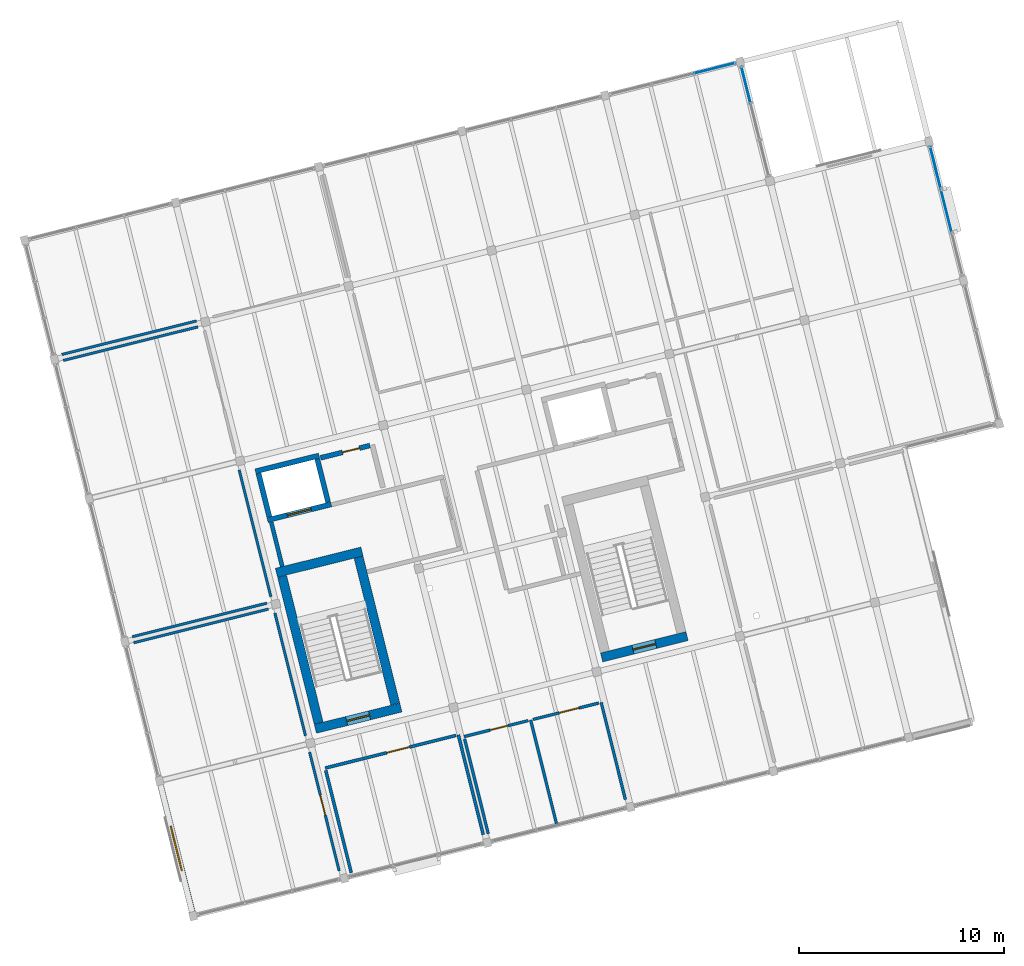
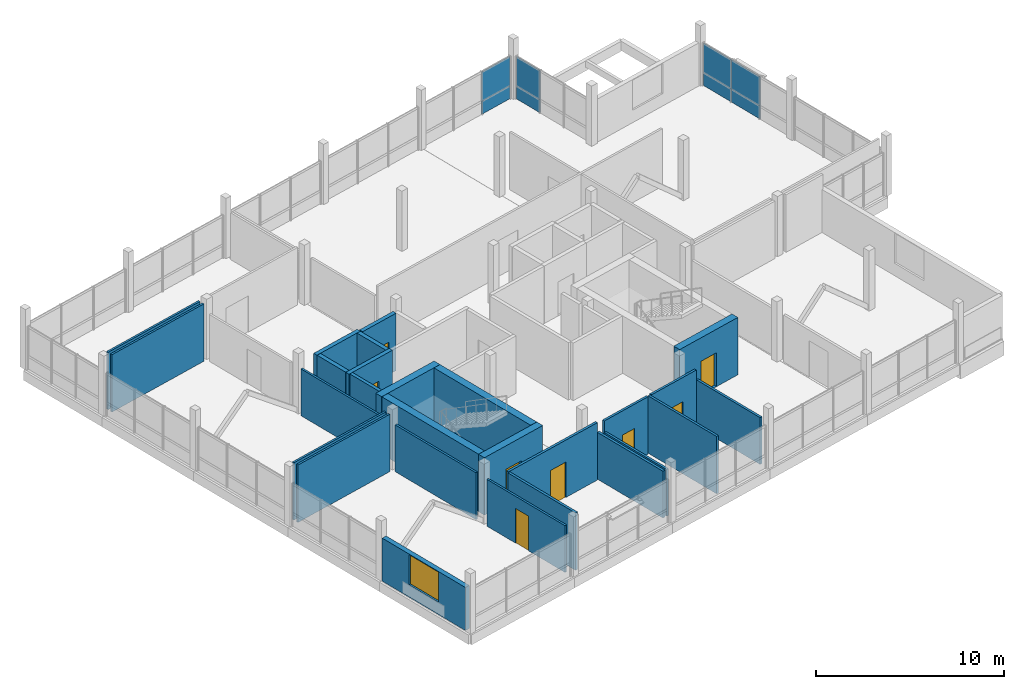
# One storey, part 24 of 27: 27 walls, 8 doors, 8 plates, 1 window, 9 openings, 3 elements without a shape of their own.
"""IFC4 building model written with IfcOpenShell, lengths in metres."""

from ifc_helpers import new_model, si_unit, direction, frame, frame_2d, origin, origin_2d, place, context, subcontext, project, spatial, rectangle, extrude, material, layer, layer_set, type_object, element, fill, aggregate, save


model = new_model("IFC4")

# Units and contexts
model_context = context("Model", 3, precision=1e-05, world=origin(), true_north=direction((0.0, 1.0)))
body_context = subcontext(model_context, "Body", "Model", "MODEL_VIEW")
ifc_project = project(units=[si_unit("LENGTHUNIT", "METRE"), si_unit("AREAUNIT", "SQUARE_METRE"), si_unit("VOLUMEUNIT", "CUBIC_METRE"), si_unit("PLANEANGLEUNIT", "RADIAN"), si_unit("MASSUNIT", "GRAM", prefix="KILO")], contexts=[model_context])

# Site, building, storey
site_placement = place(None, origin())
site = spatial("IfcSite", under=ifc_project, at=site_placement, CompositionType="ELEMENT")
building_placement = place(site_placement, origin())
building = spatial("IfcBuilding", under=site, at=building_placement, Name="Meriwether Solvik Hall", CompositionType="ELEMENT")
storey_placement = place(building_placement, frame((0.0, 0.0, 33.89990234375)))
storey = spatial("IfcBuildingStorey", under=building, at=storey_placement, Name="L08", CompositionType="ELEMENT", Elevation=33.89990234375)

# Curtain wall, plates
ifc_material_1 = material(Name="Thermally Broken Anodised Aluminium 6063-T6 and Low-E Glass", Category="aluminium")
ifc_layer_1 = layer(ifc_material_1, 0.179931640625)
ifc_layer_set_1 = layer_set([ifc_layer_1], Name="Thermally Broken Anodised Aluminium 6063-T6 and Low-E Glass")
curtain_wall_type_1 = type_object("IfcCurtainWallType", Name="CW-UNIT-C", PredefinedType="USERDEFINED", material=ifc_layer_set_1)
curtain_wall_1_placement = place(storey_placement, origin())
curtain_wall_1 = element("IfcCurtainWall", 1, at=curtain_wall_1_placement, inside=storey, type_object=curtain_wall_type_1, Name="Curtain Wall E3_B1 (L08)", ObjectType="UNITISED CURTAIN WALL", PredefinedType="USERDEFINED")
ifc_material_2 = material(Name="Low-Emissivity Double-Glazed Laminated Glass", Category="glass")
ifc_layer_2 = layer(ifc_material_2, 0.031982421875)
ifc_layer_set_2 = layer_set([ifc_layer_2], Name="Low-Emissivity Double-Glazed Laminated Glass")
plate_type_1 = type_object("IfcPlateType", Name="PLT-GLZ-195X185", PredefinedType="CURTAIN_PANEL", material=ifc_layer_set_2)
plate_1_placement = place(storey_placement, frame((104.841796875, 77.71875, 0.837158203125), z_axis=(0.0, 0.0, 1.0), x_axis=(0.241921751704, -0.970295762153, 0.0)))
plate_1 = element("IfcPlate", 2, at=plate_1_placement, type_object=plate_type_1, Name="Low-E Vision Glazing Panel 1", PredefinedType="CURTAIN_PANEL", context=body_context, shape_type="SweptSolid", body=[
    extrude(rectangle(XDim=2.139404296875, YDim=0.033935546875, at=origin_2d()), origin(), (0.0, 0.0, 1.0), 1.89306640625),
])
plate_2_placement = place(storey_placement, frame((105.365966796875, 75.61669921875, 0.837158203125), z_axis=(0.0, 0.0, 1.0), x_axis=(0.241921751704, -0.970295762153, 0.0)))
plate_2 = element("IfcPlate", 3, at=plate_2_placement, type_object=plate_type_1, Name="Low-E Vision Glazing Panel 2", PredefinedType="CURTAIN_PANEL", context=body_context, shape_type="SweptSolid", body=[
    extrude(rectangle(XDim=2.17724609375, YDim=0.033935546875, at=origin_2d()), origin(), (0.0, 0.0, 1.0), 1.89306640625),
])

# Curtain wall, plate
ifc_material_3 = material(Name="Thermally Broken Anodised Aluminium 6063-T6 and Low-E Glass", Category="aluminium")
ifc_layer_3 = layer(ifc_material_3, 0.179931640625)
ifc_layer_set_3 = layer_set([ifc_layer_3], Name="Thermally Broken Anodised Aluminium 6063-T6 and Low-E Glass")
curtain_wall_type_2 = type_object("IfcCurtainWallType", Name="CW-UNIT-D", PredefinedType="USERDEFINED", material=ifc_layer_set_3)
curtain_wall_2_placement = place(storey_placement, origin())
curtain_wall_2 = element("IfcCurtainWall", 4, at=curtain_wall_2_placement, inside=storey, type_object=curtain_wall_type_2, Name="Curtain Wall E5_B0 (L08)", ObjectType="UNITISED CURTAIN WALL", PredefinedType="USERDEFINED")
ifc_material_4 = material(Name="Low-Emissivity Double-Glazed Laminated Glass", Category="glass")
ifc_layer_4 = layer(ifc_material_4, 0.031982421875)
ifc_layer_set_4 = layer_set([ifc_layer_4], Name="Low-Emissivity Double-Glazed Laminated Glass")
plate_type_2 = type_object("IfcPlateType", Name="PLT-GLZ-210X195", PredefinedType="CURTAIN_PANEL", material=ifc_layer_set_4)
plate_3_placement = place(storey_placement, frame((95.587646484375, 81.766845703125, 0.837158203125), z_axis=(0.0, 0.0, 1.0), x_axis=(0.241921889131, -0.970295727889, 0.0)))
plate_3 = element("IfcPlate", 5, at=plate_3_placement, type_object=plate_type_2, Name="Low-E Vision Glazing Panel 1", PredefinedType="CURTAIN_PANEL", context=body_context, shape_type="SweptSolid", body=[
    extrude(rectangle(XDim=1.805908203125, YDim=0.033935546875, at=origin_2d()), origin(), (0.0, 0.0, 1.0), 1.89306640625),
])

ifc_material_5 = material(Name="Thermally Broken Anodised Aluminium 6063-T6 and Low-E Glass", Category="aluminium")
ifc_layer_5 = layer(ifc_material_5, 0.179931640625)
ifc_layer_set_5 = layer_set([ifc_layer_5], Name="Thermally Broken Anodised Aluminium 6063-T6 and Low-E Glass")
curtain_wall_type_3 = type_object("IfcCurtainWallType", Name="CW-UNIT-B", PredefinedType="USERDEFINED", material=ifc_layer_set_5)
curtain_wall_3_placement = place(storey_placement, origin())
curtain_wall_3 = element("IfcCurtainWall", 6, at=curtain_wall_3_placement, inside=storey, type_object=curtain_wall_type_3, Name="Curtain Wall E6_B4 (L08)", ObjectType="UNITISED CURTAIN WALL", PredefinedType="USERDEFINED")
plate_4_placement = place(storey_placement, frame((94.043701171875, 82.584716796875, 0.837158203125), z_axis=(0.0, 0.0, 1.0), x_axis=(0.970295750618, 0.24192179797, 0.0)))
plate_4 = element("IfcPlate", 7, at=plate_4_placement, type_object=plate_type_2, Name="Low-E Vision Glazing Panel 3", PredefinedType="CURTAIN_PANEL", context=body_context, shape_type="SweptSolid", body=[
    extrude(rectangle(XDim=2.07275390625, YDim=0.033935546875, at=origin_2d()), origin(), (0.0, 0.0, 1.0), 1.89306640625),
])

# Plate
ifc_material_6 = material(Name="Mineral-Wool Insulated Anodised Aluminium 6063-T6", Category="aluminium")
ifc_layer_6 = layer(ifc_material_6, 0.044921875)
ifc_layer_set_6 = layer_set([ifc_layer_6], Name="Mineral-Wool Insulated Anodised Aluminium 6063-T6")
plate_type_3 = type_object("IfcPlateType", Name="PLT-SPN-225X085", PredefinedType="CURTAIN_PANEL", material=ifc_layer_set_6)
plate_5_placement = place(storey_placement, frame((104.841796875, 77.71875, 0.000244140625), z_axis=(0.0, 0.0, 1.0), x_axis=(0.241921751704, -0.970295762153, 0.0)))
plate_5 = element("IfcPlate", 8, at=plate_5_placement, type_object=plate_type_3, Name="Insulated Spandrel Panel 1", PredefinedType="CURTAIN_PANEL", context=body_context, shape_type="SweptSolid", body=[
    extrude(rectangle(XDim=2.139404296875, YDim=0.044921875, at=origin_2d()), origin(), (0.0, 0.0, 1.0), 0.8369140625),
])

plate_6_placement = place(storey_placement, frame((105.365966796875, 75.61669921875, 0.000244140625), z_axis=(0.0, 0.0, 1.0), x_axis=(0.241921751704, -0.970295762153, 0.0)))
plate_6 = element("IfcPlate", 9, at=plate_6_placement, type_object=plate_type_3, Name="Insulated Spandrel Panel 2", PredefinedType="CURTAIN_PANEL", context=body_context, shape_type="SweptSolid", body=[
    extrude(rectangle(XDim=2.17724609375, YDim=0.044921875, at=origin_2d()), origin(), (0.0, 0.0, 1.0), 0.8369140625),
])

aggregate(curtain_wall_1, [plate_5, plate_1, plate_6, plate_2])

plate_7_placement = place(storey_placement, frame((95.587646484375, 81.766845703125, 0.000244140625), z_axis=(0.0, 0.0, 1.0), x_axis=(0.241921889131, -0.970295727889, 0.0)))
plate_7 = element("IfcPlate", 10, at=plate_7_placement, type_object=plate_type_3, Name="Insulated Spandrel Panel 1", PredefinedType="CURTAIN_PANEL", context=body_context, shape_type="SweptSolid", body=[
    extrude(rectangle(XDim=1.805908203125, YDim=0.044921875, at=origin_2d()), origin(), (0.0, 0.0, 1.0), 0.8369140625),
])

aggregate(curtain_wall_2, [plate_7, plate_3])

plate_8_placement = place(storey_placement, frame((94.043701171875, 82.584716796875, 0.000244140625), z_axis=(0.0, 0.0, 1.0), x_axis=(0.970295750618, 0.24192179797, 0.0)))
plate_8 = element("IfcPlate", 11, at=plate_8_placement, type_object=plate_type_3, Name="Insulated Spandrel Panel 3", PredefinedType="CURTAIN_PANEL", context=body_context, shape_type="SweptSolid", body=[
    extrude(rectangle(XDim=2.07275390625, YDim=0.044921875, at=origin_2d()), origin(), (0.0, 0.0, 1.0), 0.8369140625),
])

aggregate(curtain_wall_3, [plate_8, plate_4])

# Wall, opening, window
ifc_material_7 = material(Name="Cross-Laminated Timber and Mineral-Wool Insulation", Category="wood")
ifc_layer_7 = layer(ifc_material_7, 0.2900390625)
ifc_layer_set_7 = layer_set([ifc_layer_7], Name="Cross-Laminated Timber and Mineral-Wool Insulation")
wall_type_1 = type_object("IfcWallType", Name="WALL-EXT-290", PredefinedType="SOLIDWALL", material=ifc_layer_set_7)
wall_1_placement = place(storey_placement, frame((68.54638671875, 41.41552734375, 0.0), z_axis=(0.0, 0.0, 1.0), x_axis=(-0.241957142504, 0.970286937556, 0.0)))
wall_1 = element("IfcWall", 12, at=wall_1_placement, inside=storey, type_object=wall_type_1, Name="L08 Timber Rainscreen Wall 8.0", PredefinedType="SOLIDWALL", context=body_context, shape_type="SweptSolid", body=[
    extrude(rectangle(XDim=6.35595703125, YDim=0.2900390625, at=frame_2d((3.177978515625, 0.0))), origin(), (0.0, 0.0, 1.0), 2.7900390625),
])
opening_1_placement = place(wall_1_placement, frame((2.052978515625, 0.0, 0.800048828125)))
opening_1 = element("IfcOpeningElement", 13, at=opening_1_placement, cuts=wall_1, Name="Opening WN-150", PredefinedType="OPENING", context=body_context, shape_type="SweptSolid", body=[
    extrude(rectangle(XDim=2.25, YDim=1.949951171875, at=frame_2d((1.125, 0.97509765625))), frame((0.0, 0.156982421875, 0.0), z_axis=(0.0, -1.0, 0.0), x_axis=(1.0, 0.0, 0.0)), (0.0, 0.0, 1.0), 0.31396484375),
])
ifc_material_8 = material(Name="Thermally Broken Anodised Aluminium and Triple Low-E Glass", Category="aluminium")
window_type = type_object("IfcWindowType", Name="WIN-TW-SHARD-225X195", PartitioningType="SINGLE_PANEL", PredefinedType="WINDOW", material=ifc_material_8)
window_placement = place(opening_1_placement, origin())
window = element("IfcWindow", 14, at=window_placement, inside=storey, type_object=window_type, Name="L08 Punched Window 8.0", OverallHeight=1.949951171875, OverallWidth=2.25, PartitioningType="SINGLE_PANEL", PredefinedType="WINDOW", context=body_context, shape_type="SweptSolid", body=[
    extrude(rectangle(XDim=2.25, YDim=1.949951171875, at=frame_2d((1.125, 0.97509765625))), frame((0.0, 0.030029296875, 0.0), z_axis=(0.0, -1.0, 0.0), x_axis=(1.0, 0.0, 0.0)), (0.0, 0.0, 1.0), 0.06005859375),
])
fill(opening_1, window)

# Walls
ifc_material_9 = material(Name="Fire-Rated Type X Gypsum Board", Category="gypsum")
ifc_layer_8 = layer(ifc_material_9, 0.199951171875)
ifc_layer_set_8 = layer_set([ifc_layer_8], Name="Fire-Rated Type X Gypsum Board")
wall_type_2 = type_object("IfcWallType", Name="WALL-FIRE-200", PredefinedType="STANDARD", material=ifc_layer_set_8)
wall_2_placement = place(storey_placement, frame((72.94970703125, 58.269287109375, 0.0), z_axis=(0.0, 0.0, 1.0), x_axis=(-0.24194311862, 0.970290434536, 0.0)))
element("IfcWall", 15, at=wall_2_placement, inside=storey, type_object=wall_type_2, Name="L08 Interior Partition lb1_w", PredefinedType="STANDARD", context=body_context, shape_type="SweptSolid", body=[
    extrude(rectangle(XDim=2.22998046875, YDim=0.199951171875, at=frame_2d((1.114990234375, 0.0))), origin(), (0.0, 0.0, 1.0), 3.72021484375),
])
ifc_material_10 = material(Name="Concrete C40/50", Category="concrete")
ifc_layer_9 = layer(ifc_material_10, 0.25)
ifc_layer_set_9 = layer_set([ifc_layer_9], Name="Concrete C40/50")
wall_type_3 = type_object("IfcWallType", Name="WALL-HOIST-250", PredefinedType="SHEAR", material=ifc_layer_set_9)
wall_3_placement = place(storey_placement, frame((74.744384765625, 63.67919921875, 0.0), z_axis=(0.0, 0.0, 1.0), x_axis=(-0.970294894235, -0.241925232711, 0.0)))
element("IfcWall", 16, at=wall_3_placement, inside=storey, type_object=wall_type_3, Name="Hoistway BANK1 North Wall (L08)", PredefinedType="SHEAR", context=body_context, shape_type="SweptSolid", body=[
    extrude(rectangle(XDim=3.199951171875, YDim=0.25, at=frame_2d((1.60009765625, 0.0))), origin(), (0.0, 0.0, 1.0), 3.72021484375),
])
for number, where, z_axis, x_axis, name in (
    (17, (71.793212890625, 62.80419921875, 0.0), (0.0, 0.0, 1.0), (0.242008581424, -0.970274108959, 0.0), "Hoistway BANK1 West Wall (L08)"),
    (18, (75.18310546875, 61.402587890625, 0.0), (0.0, 0.0, 1.0), (-0.241903146974, 0.970300400641, 0.0), "Hoistway BANK1 East Wall (L08)"),
):
    element("IfcWall", number, at=place(storey_placement, frame(where, z_axis=z_axis, x_axis=x_axis)), inside=storey, type_object=wall_type_3, Name=name, PredefinedType="SHEAR", context=body_context, shape_type="SweptSolid", body=[
        extrude(rectangle(XDim=2.179931640625, YDim=0.25, at=frame_2d((1.08984375, 0.0))), origin(), (0.0, 0.0, 1.0), 3.72021484375),
    ])

# Wall, opening, door
wall_4_placement = place(storey_placement, frame((72.232177734375, 60.52783203125, 0.0), z_axis=(0.0, 0.0, 1.0), x_axis=(0.970290428474, 0.241943142934, 0.0)))
wall_4 = element("IfcWall", 19, at=wall_4_placement, inside=storey, type_object=wall_type_3, Name="Lift LF-01 Landing Wall (L08)", PredefinedType="SHEAR", context=body_context, shape_type="SweptSolid", body=[
    extrude(rectangle(XDim=3.19970703125, YDim=0.25, at=frame_2d((1.599853515625, 0.0))), origin(), (0.0, 0.0, 1.0), 3.72021484375),
])
opening_2_placement = place(wall_4_placement, frame((1.0, 0.0, 0.0)))
opening_2 = element("IfcOpeningElement", 20, at=opening_2_placement, cuts=wall_4, Name="Opening LD-01", PredefinedType="OPENING", context=body_context, shape_type="SweptSolid", body=[
    extrude(rectangle(XDim=1.199951171875, YDim=2.199951171875, at=frame_2d((0.60009765625, 1.10009765625))), frame((0.0, 0.136962890625, 0.0), z_axis=(0.0, -1.0, 0.0), x_axis=(1.0, 0.0, 0.0)), (0.0, 0.0, 1.0), 0.27392578125),
])
ifc_material_11 = material(Name="Stainless Steel AISI 316", Category="steel")
door_type_1 = type_object("IfcDoorType", Name="DR-LIFT-FSAE", OperationType="DOUBLE_DOOR_SLIDING", PredefinedType="DOOR", material=ifc_material_11)
door_1_placement = place(opening_2_placement, origin())
door_1 = element("IfcDoor", 21, at=door_1_placement, inside=storey, type_object=door_type_1, Name="Lift Landing Door LF-01 (L08)", OperationType="DOUBLE_DOOR_SLIDING", OverallHeight=2.199951171875, OverallWidth=1.199951171875, PredefinedType="DOOR", context=body_context, shape_type="SweptSolid", body=[
    extrude(rectangle(XDim=1.199951171875, YDim=2.199951171875, at=frame_2d((0.60009765625, 1.10009765625))), frame((0.0, 0.02490234375, 0.0), z_axis=(0.0, -1.0, 0.0), x_axis=(1.0, 0.0, 0.0)), (0.0, 0.0, 1.0), 0.050048828125),
])
fill(opening_2, door_1)

ifc_material_12 = material(Name="Gypsum Board Partition", Category="gypsum")
ifc_layer_10 = layer(ifc_material_12, 0.125)
ifc_layer_set_10 = layer_set([ifc_layer_10], Name="Gypsum Board Partition")
wall_type_4 = type_object("IfcWallType", Name="WALL-PART-125", PredefinedType="PARTITIONING", material=ifc_layer_set_10)
wall_5_placement = place(storey_placement, frame((75.728759765625, 43.403564453125, 0.0), z_axis=(0.0, 0.0, 1.0), x_axis=(-0.24192989378, 0.970293732071, 0.0)))
wall_5 = element("IfcWall", 22, at=wall_5_placement, inside=storey, type_object=wall_type_4, Name="L08 Interior Partition off_w1_e", PredefinedType="PARTITIONING", context=body_context, shape_type="SweptSolid", body=[
    extrude(rectangle(XDim=5.97509765625, YDim=0.125, at=frame_2d((2.987548828125, 0.0))), origin(), (0.0, 0.0, 1.0), 3.03515625),
])
opening_3_placement = place(wall_5_placement, frame((2.798095703125, 0.0, 0.0)))
opening_3 = element("IfcOpeningElement", 23, at=opening_3_placement, cuts=wall_5, Name="Opening D-166", PredefinedType="OPENING", context=body_context, shape_type="SweptSolid", body=[
    extrude(rectangle(XDim=1.0, YDim=2.25, at=frame_2d((0.5, 1.125))), frame((0.0, 0.074462890625, 0.0), z_axis=(0.0, -1.0, 0.0), x_axis=(1.0, 0.0, 0.0)), (0.0, 0.0, 1.0), 0.14892578125),
])
ifc_material_13 = material(Name="Laminated Vision Glass and Solid White Oak Timber", Category="wood")
door_type_2 = type_object("IfcDoorType", Name="DR-OFF-1000L", OperationType="SINGLE_SWING_LEFT", PredefinedType="DOOR", material=ifc_material_13)
door_2_placement = place(opening_3_placement, origin())
door_2 = element("IfcDoor", 24, at=door_2_placement, inside=storey, type_object=door_type_2, Name="L08 Nonprofit Incubator Suite Door", OperationType="SINGLE_SWING_LEFT", OverallHeight=2.25, OverallWidth=1.0, PredefinedType="DOOR", context=body_context, shape_type="SweptSolid", body=[
    extrude(rectangle(XDim=1.0, YDim=2.25, at=frame_2d((0.5, 1.125))), frame((0.0, 0.02490234375, 0.0), z_axis=(0.0, -1.0, 0.0), x_axis=(1.0, 0.0, 0.0)), (0.0, 0.0, 1.0), 0.050048828125),
])
fill(opening_3, door_2)

# Walls
wall_6_placement = place(storey_placement, frame((74.08349609375, 50.00146484375, 0.0), z_axis=(0.0, 0.0, 1.0), x_axis=(-0.241921603562, 0.970295799089, 0.0)))
element("IfcWall", 25, at=wall_6_placement, inside=storey, type_object=wall_type_4, Name="L08 Interior Partition off_w1_e_s2", PredefinedType="PARTITIONING", context=body_context, shape_type="SweptSolid", body=[
    extrude(rectangle(XDim=6.175048828125, YDim=0.125, at=frame_2d((3.08740234375, 0.0))), origin(), (0.0, 0.0, 1.0), 3.03515625),
])
for number, where, z_axis, x_axis, name in (
    (26, (72.270751953125, 56.18310546875, 0.0), (0.0, 0.0, 1.0), (-0.97029069988, -0.241942054482, 0.0), "L08 Interior Partition off_w1_n"),
    (27, (65.62646484375, 54.835693359375, 0.0), (0.0, 0.0, 1.0), (0.970299158832, 0.241908127952, 0.0), "L08 Interior Partition off_w2_s"),
):
    element("IfcWall", number, at=place(storey_placement, frame(where, z_axis=z_axis, x_axis=x_axis)), inside=storey, type_object=wall_type_4, Name=name, PredefinedType="PARTITIONING", context=body_context, shape_type="SweptSolid", body=[
        extrude(rectangle(XDim=6.77490234375, YDim=0.125, at=frame_2d((3.387451171875, 0.0))), origin(), (0.0, 0.0, 1.0), 3.72021484375),
    ])
wall_7_placement = place(storey_placement, frame((72.39013671875, 56.793701171875, 0.0), z_axis=(0.0, 0.0, 1.0), x_axis=(-0.241922822951, 0.970295495061, 0.0)))
element("IfcWall", 28, at=wall_7_placement, inside=storey, type_object=wall_type_4, Name="L08 Interior Partition off_w2_e", PredefinedType="PARTITIONING", context=body_context, shape_type="SweptSolid", body=[
    extrude(rectangle(XDim=6.375, YDim=0.125, at=frame_2d((3.1875, 0.0))), origin(), (0.0, 0.0, 1.0), 3.03515625),
])
for number, where, z_axis, x_axis, name in (
    (29, (68.83544921875, 69.96142578125, 0.0), (0.0, 0.0, 1.0), (-0.97029069988, -0.241942054482, 0.0), "L08 Interior Partition off_w2_n"),
    (30, (62.191162109375, 68.61376953125, 0.0), (0.0, 0.0, 1.0), (0.97029069988, 0.241942054482, 0.0), "L08 Interior Partition wk_nw_s"),
):
    element("IfcWall", number, at=place(storey_placement, frame(where, z_axis=z_axis, x_axis=x_axis)), inside=storey, type_object=wall_type_4, Name=name, PredefinedType="PARTITIONING", context=body_context, shape_type="SweptSolid", body=[
        extrude(rectangle(XDim=6.77490234375, YDim=0.125, at=frame_2d((3.387451171875, 0.0))), origin(), (0.0, 0.0, 1.0), 3.72021484375),
    ])
ifc_material_14 = material(Name="Gypsum Board Partition", Category="gypsum")
ifc_layer_11 = layer(ifc_material_14, 0.14990234375)
ifc_layer_set_11 = layer_set([ifc_layer_11], Name="Gypsum Board Partition")
wall_type_5 = type_object("IfcWallType", Name="WALL-PART-150", PredefinedType="PARTITIONING", material=ifc_layer_set_11)
wall_8_placement = place(storey_placement, frame((82.76025390625, 45.169921875, 0.0), z_axis=(0.0, 0.0, 1.0), x_axis=(-0.241918102437, 0.97029667201, 0.0)))
element("IfcWall", 31, at=wall_8_placement, inside=storey, type_object=wall_type_5, Name="L08 Interior Partition sem_s8_e", PredefinedType="PARTITIONING", context=body_context, shape_type="SweptSolid", body=[
    extrude(rectangle(XDim=5.023681640625, YDim=0.14990234375, at=frame_2d((2.51171875, 0.0))), origin(), (0.0, 0.0, 1.0), 3.03515625),
])

# Wall, opening, door
wall_9_placement = place(storey_placement, frame((81.428466796875, 50.015380859375, 0.0), z_axis=(0.0, 0.0, 1.0), x_axis=(-0.970297264384, -0.241915726503, 0.0)))
wall_9 = element("IfcWall", 32, at=wall_9_placement, inside=storey, type_object=wall_type_5, Name="L08 Interior Partition sem_s8_n", PredefinedType="PARTITIONING", context=body_context, shape_type="SweptSolid", body=[
    extrude(rectangle(XDim=6.580078125, YDim=0.14990234375, at=frame_2d((3.2900390625, 0.0))), origin(), (0.0, 0.0, 1.0), 3.72021484375),
])
opening_4_placement = place(wall_9_placement, frame((2.337158203125, 0.0, 0.0)))
opening_4 = element("IfcOpeningElement", 33, at=opening_4_placement, cuts=wall_9, Name="Opening D-149", PredefinedType="OPENING", context=body_context, shape_type="SweptSolid", body=[
    extrude(rectangle(XDim=1.14990234375, YDim=2.300048828125, at=frame_2d((0.574951171875, 1.14990234375))), frame((0.0, 0.0869140625, 0.0), z_axis=(0.0, -1.0, 0.0), x_axis=(1.0, 0.0, 0.0)), (0.0, 0.0, 1.0), 0.173828125),
])
ifc_material_15 = material(Name="Laminated Vision Glass and Solid White Oak Timber", Category="wood")
door_type_3 = type_object("IfcDoorType", Name="DR-SEM-1150L", OperationType="SINGLE_SWING_LEFT", PredefinedType="DOOR", material=ifc_material_15)
door_3_placement = place(opening_4_placement, origin())
door_3 = element("IfcDoor", 34, at=door_3_placement, inside=storey, type_object=door_type_3, Name="L08 Housing Seminar Room Door", OperationType="SINGLE_SWING_LEFT", OverallHeight=2.300048828125, OverallWidth=1.14990234375, PredefinedType="DOOR", context=body_context, shape_type="SweptSolid", body=[
    extrude(rectangle(XDim=1.14990234375, YDim=2.300048828125, at=frame_2d((0.574951171875, 1.14990234375))), frame((0.0, 0.02490234375, 0.0), z_axis=(0.0, -1.0, 0.0), x_axis=(1.0, 0.0, 0.0)), (0.0, 0.0, 1.0), 0.050048828125),
])
fill(opening_4, door_3)

# Wall
wall_10_placement = place(storey_placement, frame((75.072998046875, 48.30712890625, 0.0), z_axis=(0.0, 0.0, 1.0), x_axis=(0.241888809617, -0.970303974939, 0.0)))
element("IfcWall", 35, at=wall_10_placement, inside=storey, type_object=wall_type_5, Name="L08 Interior Partition sem_s8_w", PredefinedType="PARTITIONING", context=body_context, shape_type="SweptSolid", body=[
    extrude(rectangle(XDim=5.151611328125, YDim=0.14990234375, at=frame_2d((2.57568359375, 0.0))), origin(), (0.0, 0.0, 1.0), 3.72021484375),
])

# Wall, opening, door
ifc_material_16 = material(Name="Concrete C45/55", Category="concrete")
ifc_layer_12 = layer(ifc_material_16, 0.449951171875)
ifc_layer_set_12 = layer_set([ifc_layer_12], Name="Concrete C45/55")
wall_type_6 = type_object("IfcWallType", Name="WALL-RC-450", PredefinedType="SHEAR", material=ifc_layer_set_12)
wall_11_placement = place(storey_placement, frame((74.566162109375, 50.33984375, 0.0), z_axis=(0.0, 0.0, 1.0), x_axis=(0.970292610647, 0.241934391361, 0.0)))
wall_11 = element("IfcWall", 36, at=wall_11_placement, inside=storey, type_object=wall_type_6, Name="CORE-1 Shear Wall S (L08)", PredefinedType="SHEAR", context=body_context, shape_type="SweptSolid", body=[
    extrude(rectangle(XDim=4.2998046875, YDim=0.449951171875, at=frame_2d((2.14990234375, 0.0))), origin(), (0.0, 0.0, 1.0), 3.72021484375),
])
opening_5_placement = place(wall_11_placement, frame((1.574951171875, 0.0, 0.0)))
opening_5 = element("IfcOpeningElement", 37, at=opening_5_placement, cuts=wall_11, Name="Opening D-189", PredefinedType="OPENING", context=body_context, shape_type="SweptSolid", body=[
    extrude(rectangle(XDim=1.14990234375, YDim=2.199951171875, at=frame_2d((0.574951171875, 1.10009765625))), frame((0.0, 0.23681640625, 0.0), z_axis=(0.0, -1.0, 0.0), x_axis=(1.0, 0.0, 0.0)), (0.0, 0.0, 1.0), 0.473876953125),
])
ifc_material_17 = material(Name="Steel A36 Galvanised", Category="steel")
door_type_4 = type_object("IfcDoorType", Name="DR-FD90-1150L", OperationType="SINGLE_SWING_LEFT", PredefinedType="DOOR", material=ifc_material_17)
door_4_placement = place(opening_5_placement, origin())
door_4 = element("IfcDoor", 38, at=door_4_placement, inside=storey, type_object=door_type_4, Name="Stair ST-01 Smokeproof Exit Door (L08)", OperationType="SINGLE_SWING_LEFT", OverallHeight=2.199951171875, OverallWidth=1.14990234375, PredefinedType="DOOR", context=body_context, shape_type="SweptSolid", body=[
    extrude(rectangle(XDim=1.14990234375, YDim=2.199951171875, at=frame_2d((0.574951171875, 1.10009765625))), frame((0.0, 0.02490234375, 0.0), z_axis=(0.0, -1.0, 0.0), x_axis=(1.0, 0.0, 0.0)), (0.0, 0.0, 1.0), 0.050048828125),
])
fill(opening_5, door_4)

# Walls
wall_12_placement = place(storey_placement, frame((76.83935546875, 58.996826171875, 0.0), z_axis=(0.0, 0.0, 1.0), x_axis=(-0.970295933763, -0.241921063415, 0.0)))
element("IfcWall", 39, at=wall_12_placement, inside=storey, type_object=wall_type_6, Name="CORE-1 Shear Wall N (L08)", PredefinedType="SHEAR", context=body_context, shape_type="SweptSolid", body=[
    extrude(rectangle(XDim=4.300048828125, YDim=0.449951171875, at=frame_2d((2.14990234375, 0.0))), origin(), (0.0, 0.0, 1.0), 3.72021484375),
])
for number, where, z_axis, x_axis, name in (
    (40, (72.942138671875, 57.782958984375, 0.0), (0.0, 0.0, 1.0), (0.241928426141, -0.970294098006, 0.0), "CORE-1 Shear Wall W (L08)"),
    (41, (78.463134765625, 51.5537109375, 0.0), (0.0, 0.0, 1.0), (-0.241928426141, 0.970294098006, 0.0), "CORE-1 Shear Wall E (L08)"),
):
    element("IfcWall", number, at=place(storey_placement, frame(where, z_axis=z_axis, x_axis=x_axis)), inside=storey, type_object=wall_type_6, Name=name, PredefinedType="SHEAR", context=body_context, shape_type="SweptSolid", body=[
        extrude(rectangle(XDim=7.3798828125, YDim=0.449951171875, at=frame_2d((3.68994140625, 0.0))), origin(), (0.0, 0.0, 1.0), 3.72021484375),
    ])

# Wall, opening, door
wall_13_placement = place(storey_placement, frame((88.538330078125, 53.823486328125, 0.0), z_axis=(0.0, 0.0, 1.0), x_axis=(0.970295933763, 0.241921063415, 0.0)))
wall_13 = element("IfcWall", 42, at=wall_13_placement, inside=storey, type_object=wall_type_6, Name="CORE-2 Shear Wall S (L08)", PredefinedType="SHEAR", context=body_context, shape_type="SweptSolid", body=[
    extrude(rectangle(XDim=4.300048828125, YDim=0.449951171875, at=frame_2d((2.14990234375, 0.0))), origin(), (0.0, 0.0, 1.0), 3.72021484375),
])
opening_6_placement = place(wall_13_placement, frame((1.574951171875, 0.0, 0.0)))
opening_6 = element("IfcOpeningElement", 43, at=opening_6_placement, cuts=wall_13, Name="Opening D-148", PredefinedType="OPENING", context=body_context, shape_type="SweptSolid", body=[
    extrude(rectangle(XDim=1.14990234375, YDim=2.199951171875, at=frame_2d((0.574951171875, 1.10009765625))), frame((0.0, 0.23681640625, 0.0), z_axis=(0.0, -1.0, 0.0), x_axis=(1.0, 0.0, 0.0)), (0.0, 0.0, 1.0), 0.473876953125),
])
ifc_material_18 = material(Name="Steel A36 Galvanised", Category="steel")
door_type_5 = type_object("IfcDoorType", Name="DR-FD90-1150R", OperationType="SINGLE_SWING_RIGHT", PredefinedType="DOOR", material=ifc_material_18)
door_5_placement = place(opening_6_placement, origin())
door_5 = element("IfcDoor", 44, at=door_5_placement, inside=storey, type_object=door_type_5, Name="Stair ST-02 Smokeproof Exit Door (L08)", OperationType="SINGLE_SWING_RIGHT", OverallHeight=2.199951171875, OverallWidth=1.14990234375, PredefinedType="DOOR", context=body_context, shape_type="SweptSolid", body=[
    extrude(rectangle(XDim=1.14990234375, YDim=2.199951171875, at=frame_2d((0.574951171875, 1.10009765625))), frame((0.0, 0.02490234375, 0.0), z_axis=(0.0, -1.0, 0.0), x_axis=(1.0, 0.0, 0.0)), (0.0, 0.0, 1.0), 0.050048828125),
])
fill(opening_6, door_5)

ifc_material_19 = material(Name="Concrete C35/45", Category="concrete")
ifc_layer_13 = layer(ifc_material_19, 0.239990234375)
ifc_layer_set_13 = layer_set([ifc_layer_13], Name="Concrete C35/45")
wall_type_7 = type_object("IfcWallType", Name="WALL-SHAFT-240", PredefinedType="STANDARD", material=ifc_layer_set_13)
wall_14_placement = place(storey_placement, frame((77.2294921875, 64.169921875, 0.0), z_axis=(0.0, 0.0, 1.0), x_axis=(-0.970310192441, -0.241863867589, 0.0)))
wall_14 = element("IfcWall", 45, at=wall_14_placement, inside=storey, type_object=wall_type_7, Name="L08 Interior Partition riser1_n", PredefinedType="STANDARD", context=body_context, shape_type="SweptSolid", body=[
    extrude(rectangle(XDim=2.480224609375, YDim=0.239990234375, at=frame_2d((1.240234375, 0.0))), origin(), (0.0, 0.0, 1.0), 3.72021484375),
])
opening_7_placement = place(wall_14_placement, frame((0.530029296875, 0.0, 0.0)))
opening_7 = element("IfcOpeningElement", 46, at=opening_7_placement, cuts=wall_14, Name="Opening D-102", PredefinedType="OPENING", context=body_context, shape_type="SweptSolid", body=[
    extrude(rectangle(XDim=0.85009765625, YDim=2.10009765625, at=frame_2d((0.425048828125, 1.050048828125))), frame((0.0, 0.1318359375, 0.0), z_axis=(0.0, -1.0, 0.0), x_axis=(1.0, 0.0, 0.0)), (0.0, 0.0, 1.0), 0.263916015625),
])
ifc_material_20 = material(Name="Steel A36 Galvanised", Category="steel")
door_type_6 = type_object("IfcDoorType", Name="DR-FD60-850L", OperationType="SINGLE_SWING_LEFT", PredefinedType="DOOR", material=ifc_material_20)
door_6_placement = place(opening_7_placement, origin())
door_6 = element("IfcDoor", 47, at=door_6_placement, inside=storey, type_object=door_type_6, Name="Telecom Riser Closet Door (L08)", OperationType="SINGLE_SWING_LEFT", OverallHeight=2.10009765625, OverallWidth=0.85009765625, PredefinedType="DOOR", context=body_context, shape_type="SweptSolid", body=[
    extrude(rectangle(XDim=0.85009765625, YDim=2.10009765625, at=frame_2d((0.425048828125, 1.050048828125))), frame((0.0, 0.02490234375, 0.0), z_axis=(0.0, -1.0, 0.0), x_axis=(1.0, 0.0, 0.0)), (0.0, 0.0, 1.0), 0.050048828125),
])
fill(opening_7, door_6)

# Wall
ifc_material_21 = material(Name="Moisture-Resistant Gypsum Board", Category="gypsum")
ifc_layer_14 = layer(ifc_material_21, 0.139892578125)
ifc_layer_set_14 = layer_set([ifc_layer_14], Name="Moisture-Resistant Gypsum Board")
wall_type_8 = type_object("IfcWallType", Name="WALL-WET-140", PredefinedType="PLUMBINGWALL", material=ifc_layer_set_14)
wall_15_placement = place(storey_placement, frame((86.341796875, 45.685302734375, 0.0), z_axis=(0.0, 0.0, 1.0), x_axis=(-0.24189974474, 0.970301248837, 0.0)))
element("IfcWall", 48, at=wall_15_placement, inside=storey, type_object=wall_type_8, Name="L08 Interior Partition wc_m_e", PredefinedType="PLUMBINGWALL", context=body_context, shape_type="SweptSolid", body=[
    extrude(rectangle(XDim=5.239990234375, YDim=0.139892578125, at=frame_2d((2.6201171875, 0.0))), origin(), (0.0, 0.0, 1.0), 3.72021484375),
])

# Wall, opening, door
wall_16_placement = place(storey_placement, frame((84.957763671875, 50.74072265625, 0.0), z_axis=(0.0, 0.0, 1.0), x_axis=(-0.970289047109, -0.241948682698, 0.0)))
wall_16 = element("IfcWall", 49, at=wall_16_placement, inside=storey, type_object=wall_type_8, Name="L08 Interior Partition wc_m_n", PredefinedType="PLUMBINGWALL", context=body_context, shape_type="SweptSolid", body=[
    extrude(rectangle(XDim=3.22998046875, YDim=0.139892578125, at=frame_2d((1.614990234375, 0.0))), origin(), (0.0, 0.0, 1.0), 3.72021484375),
])
opening_8_placement = place(wall_16_placement, frame((1.008544921875, 0.0, 0.0)))
opening_8 = element("IfcOpeningElement", 50, at=opening_8_placement, cuts=wall_16, Name="Opening D-174", PredefinedType="OPENING", context=body_context, shape_type="SweptSolid", body=[
    extrude(rectangle(XDim=0.89990234375, YDim=2.14990234375, at=frame_2d((0.449951171875, 1.074951171875))), frame((0.0, 0.08203125, 0.0), z_axis=(0.0, -1.0, 0.0), x_axis=(1.0, 0.0, 0.0)), (0.0, 0.0, 1.0), 0.163818359375),
])
ifc_material_22 = material(Name="Solid-Core Rift White Oak Timber", Category="wood")
door_type_7 = type_object("IfcDoorType", Name="DR-WC-900L", OperationType="SINGLE_SWING_LEFT", PredefinedType="DOOR", material=ifc_material_22)
door_7_placement = place(opening_8_placement, origin())
door_7 = element("IfcDoor", 51, at=door_7_placement, inside=storey, type_object=door_type_7, Name="L08 Restrooms Door", OperationType="SINGLE_SWING_LEFT", OverallHeight=2.14990234375, OverallWidth=0.89990234375, PredefinedType="DOOR", context=body_context, shape_type="SweptSolid", body=[
    extrude(rectangle(XDim=0.89990234375, YDim=2.14990234375, at=frame_2d((0.449951171875, 1.074951171875))), frame((0.0, 0.02490234375, 0.0), z_axis=(0.0, -1.0, 0.0), x_axis=(1.0, 0.0, 0.0)), (0.0, 0.0, 1.0), 0.050048828125),
])
fill(opening_8, door_7)

# Walls
wall_17_placement = place(storey_placement, frame((81.852783203125, 49.8427734375, 0.0), z_axis=(0.0, 0.0, 1.0), x_axis=(0.241909155499, -0.970298902651, 0.0)))
element("IfcWall", 52, at=wall_17_placement, inside=storey, type_object=wall_type_8, Name="L08 Interior Partition wc_m_w", PredefinedType="PLUMBINGWALL", context=body_context, shape_type="SweptSolid", body=[
    extrude(rectangle(XDim=4.7685546875, YDim=0.139892578125, at=frame_2d((2.38427734375, 0.0))), origin(), (0.0, 0.0, 1.0), 3.03515625),
])
wall_18_placement = place(storey_placement, frame((89.700927734375, 46.88720703125, 0.0), z_axis=(0.0, 0.0, 1.0), x_axis=(-0.241912528441, 0.970298061723, 0.0)))
element("IfcWall", 53, at=wall_18_placement, inside=storey, type_object=wall_type_8, Name="L08 Interior Partition wc_a_e", PredefinedType="PLUMBINGWALL", context=body_context, shape_type="SweptSolid", body=[
    extrude(rectangle(XDim=4.886474609375, YDim=0.139892578125, at=frame_2d((2.443359375, 0.0))), origin(), (0.0, 0.0, 1.0), 3.03515625),
])

# Wall, opening, door
wall_19_placement = place(storey_placement, frame((88.40234375, 51.599609375, 0.0), z_axis=(0.0, 0.0, 1.0), x_axis=(-0.970294165893, -0.241928153868, 0.0)))
wall_19 = element("IfcWall", 54, at=wall_19_placement, inside=storey, type_object=wall_type_8, Name="L08 Interior Partition wc_a_n", PredefinedType="PLUMBINGWALL", context=body_context, shape_type="SweptSolid", body=[
    extrude(rectangle(XDim=3.31005859375, YDim=0.139892578125, at=frame_2d((1.655029296875, 0.0))), origin(), (0.0, 0.0, 1.0), 3.72021484375),
])
opening_9_placement = place(wall_19_placement, frame((1.0, 0.0, 0.0)))
opening_9 = element("IfcOpeningElement", 55, at=opening_9_placement, cuts=wall_19, Name="Opening D-140", PredefinedType="OPENING", context=body_context, shape_type="SweptSolid", body=[
    extrude(rectangle(XDim=1.0, YDim=2.14990234375, at=frame_2d((0.5, 1.074951171875))), frame((0.0, 0.08203125, 0.0), z_axis=(0.0, -1.0, 0.0), x_axis=(1.0, 0.0, 0.0)), (0.0, 0.0, 1.0), 0.163818359375),
])
ifc_material_23 = material(Name="Solid-Core Rift White Oak Timber", Category="wood")
door_type_8 = type_object("IfcDoorType", Name="DR-ACC-1000L", OperationType="SINGLE_SWING_LEFT", PredefinedType="DOOR", material=ifc_material_23)
door_8_placement = place(opening_9_placement, origin())
door_8 = element("IfcDoor", 56, at=door_8_placement, inside=storey, type_object=door_type_8, Name="L08 Accessible WC Door", OperationType="SINGLE_SWING_LEFT", OverallHeight=2.14990234375, OverallWidth=1.0, PredefinedType="DOOR", context=body_context, shape_type="SweptSolid", body=[
    extrude(rectangle(XDim=1.0, YDim=2.14990234375, at=frame_2d((0.5, 1.074951171875))), frame((0.0, 0.02490234375, 0.0), z_axis=(0.0, -1.0, 0.0), x_axis=(1.0, 0.0, 0.0)), (0.0, 0.0, 1.0), 0.050048828125),
])
fill(opening_9, door_8)

save(model, "model.ifc")
